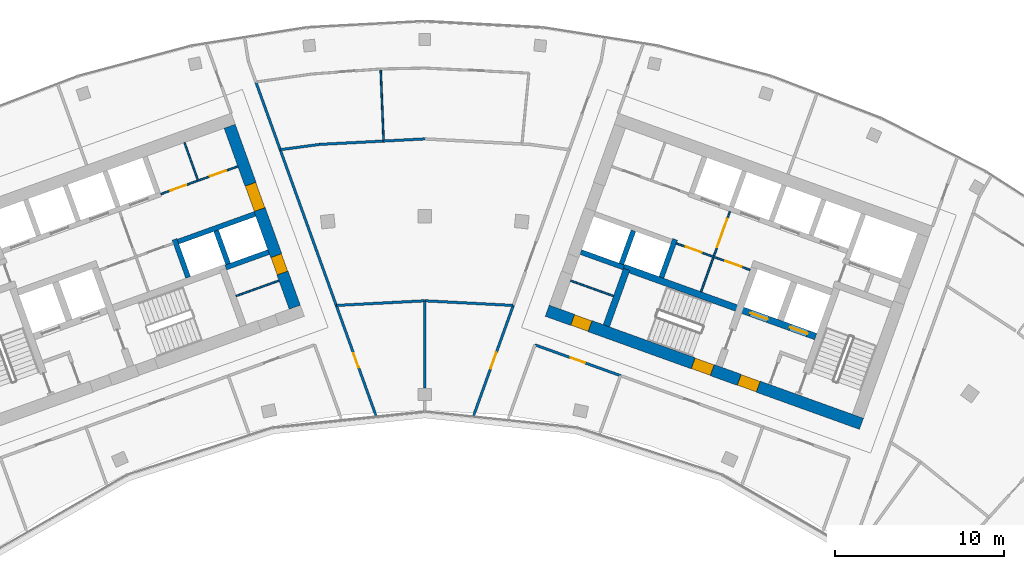
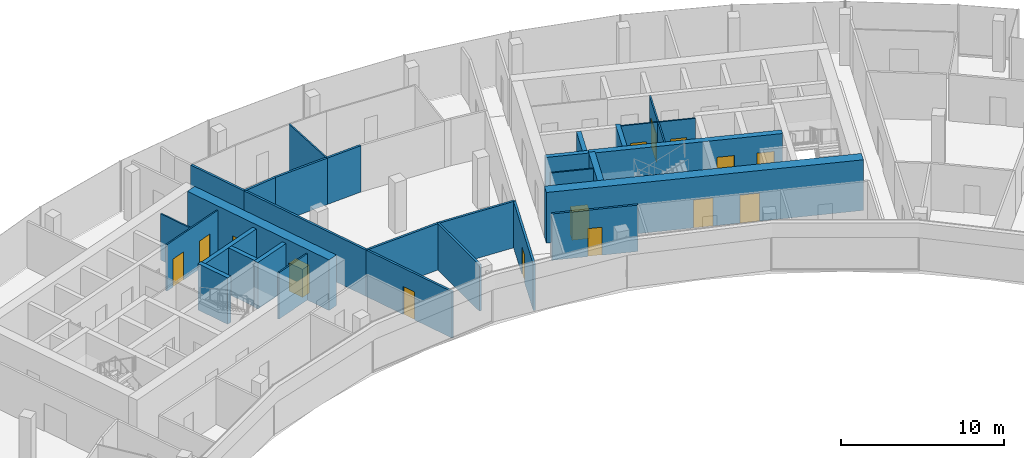
# One storey, part 14 of 18: 29 walls, 15 doors, 15 openings.
"""IFC4 building model written with IfcOpenShell, lengths in metres."""

from ifc_helpers import new_model, si_unit, direction, frame, frame_2d, origin, place, context, subcontext, project, spatial, rectangle, extrude, material, layer, layer_set, type_object, element, fill, save


model = new_model("IFC4")

# Units and contexts
model_context = context("Model", 3, precision=1e-05, world=origin(), true_north=direction((0.0, 1.0)))
body_context = subcontext(model_context, "Body", "Model", "MODEL_VIEW")
ifc_project = project(units=[si_unit("LENGTHUNIT", "METRE"), si_unit("AREAUNIT", "SQUARE_METRE"), si_unit("VOLUMEUNIT", "CUBIC_METRE"), si_unit("PLANEANGLEUNIT", "RADIAN"), si_unit("MASSUNIT", "GRAM", prefix="KILO")], contexts=[model_context])

# Site, building, storey
site_placement = place(None, origin())
site = spatial("IfcSite", under=ifc_project, at=site_placement, CompositionType="ELEMENT")
building_placement = place(site_placement, origin())
building = spatial("IfcBuilding", under=site, at=building_placement, Name="Stone Belt Terrace Tower", CompositionType="ELEMENT")
storey_placement = place(building_placement, frame((0.0, 0.0, 261.800048828125)))
storey = spatial("IfcBuildingStorey", under=building, at=storey_placement, Name="L63", CompositionType="ELEMENT", Elevation=261.800048828125)

# Wall, openings, doors
ifc_material_1 = material(Name="Plasterboard partition")
ifc_layer_1 = layer(ifc_material_1, 0.10009765625)
ifc_layer_set_1 = layer_set([ifc_layer_1], Name="Core partition 100")
wall_type_1 = type_object("IfcWallType", Name="Core partition 100", PredefinedType="PARTITIONING", material=ifc_layer_set_1)
wall_1_placement = place(storey_placement, frame((-15.648681640625, 56.32861328125, 0.0), z_axis=(0.0, 0.0, 1.0), x_axis=(0.940905377977, 0.338669558262, 0.0)))
wall_1 = element("IfcWall", 1, at=wall_1_placement, inside=storey, type_object=wall_type_1, Name="Core A wall", PredefinedType="PARTITIONING", context=body_context, shape_type="SweptSolid", body=[
    extrude(rectangle(XDim=4.85009765625, YDim=0.10009765625, at=frame_2d((2.425048828125, 0.0))), origin(), (0.0, 0.0, 1.0), 3.47998046875),
])
opening_1_placement = place(wall_1_placement, frame((0.60009765625, 0.0, 0.0)))
opening_1 = element("IfcOpeningElement", 2, at=opening_1_placement, cuts=wall_1, Name="Opening L63-C01", PredefinedType="OPENING", context=body_context, shape_type="SweptSolid", body=[
    extrude(rectangle(XDim=1.0, YDim=2.10009765625, at=frame_2d((0.5, 1.050048828125))), frame((0.0, 0.06005859375, 0.0), z_axis=(0.0, -1.0, 0.0), x_axis=(1.0, 0.0, 0.0)), (0.0, 0.0, 1.0), 0.1201171875),
])
opening_2_placement = place(wall_1_placement, frame((3.10009765625, 0.0, 0.0)))
opening_2 = element("IfcOpeningElement", 3, at=opening_2_placement, cuts=wall_1, Name="Opening L63-C02", PredefinedType="OPENING", context=body_context, shape_type="SweptSolid", body=[
    extrude(rectangle(XDim=1.0, YDim=2.10009765625, at=frame_2d((0.5, 1.050048828125))), frame((0.0, 0.06005859375, 0.0), z_axis=(0.0, -1.0, 0.0), x_axis=(1.0, 0.0, 0.0)), (0.0, 0.0, 1.0), 0.1201171875),
])
ifc_material_2 = material(Name="Timber door leaf", Category="wood")
door_type_1 = type_object("IfcDoorType", Name="Core room door 1000", OperationType="SINGLE_SWING_LEFT", PredefinedType="DOOR", material=ifc_material_2)
door_1_placement = place(opening_1_placement, origin())
door_1 = element("IfcDoor", 4, at=door_1_placement, inside=storey, type_object=door_type_1, Name="Door to Print and copy room core A", OperationType="SINGLE_SWING_RIGHT", OverallHeight=2.10009765625, OverallWidth=1.0, PredefinedType="DOOR", context=body_context, shape_type="SweptSolid", body=[
    extrude(rectangle(XDim=1.0, YDim=2.10009765625, at=frame_2d((0.5, 1.050048828125))), frame((0.0, 0.02490234375, 0.0), z_axis=(0.0, -1.0, 0.0), x_axis=(1.0, 0.0, 0.0)), (0.0, 0.0, 1.0), 0.050048828125),
])
fill(opening_1, door_1)
door_2_placement = place(opening_2_placement, origin())
door_2 = element("IfcDoor", 5, at=door_2_placement, inside=storey, type_object=door_type_1, Name="Door to Pantry core A", OperationType="SINGLE_SWING_LEFT", OverallHeight=2.10009765625, OverallWidth=1.0, PredefinedType="DOOR", context=body_context, shape_type="SweptSolid", body=[
    extrude(rectangle(XDim=1.0, YDim=2.10009765625, at=frame_2d((0.5, 1.050048828125))), frame((0.0, 0.02490234375, 0.0), z_axis=(0.0, -1.0, 0.0), x_axis=(1.0, 0.0, 0.0)), (0.0, 0.0, 1.0), 0.050048828125),
])
fill(opening_2, door_2)

# Walls
wall_2_placement = place(storey_placement, frame((-11.187744140625, 50.2822265625, 0.0), z_axis=(0.0, 0.0, 1.0), x_axis=(0.940949642365, 0.338546555931, 0.0)))
element("IfcWall", 6, at=wall_2_placement, inside=storey, type_object=wall_type_1, Name="Core A wall", PredefinedType="PARTITIONING", context=body_context, shape_type="SweptSolid", body=[
    extrude(rectangle(XDim=2.699951171875, YDim=0.10009765625, at=frame_2d((1.35009765625, 0.0))), origin(), (0.0, 0.0, 1.0), 3.47998046875),
])
wall_3_placement = place(storey_placement, frame((-13.45458984375, 57.171630859375, 0.0), z_axis=(0.0, 0.0, 1.0), x_axis=(-0.338579668317, 0.940937728121, 0.0)))
element("IfcWall", 7, at=wall_3_placement, inside=storey, type_object=wall_type_1, Name="Core A wall", PredefinedType="PARTITIONING", context=body_context, shape_type="SweptSolid", body=[
    extrude(rectangle(XDim=2.35009765625, YDim=0.10009765625, at=frame_2d((1.175048828125, 0.0))), origin(), (0.0, 0.0, 1.0), 3.47998046875),
])

# Wall, openings, doors
wall_4_placement = place(storey_placement, frame((19.29052734375, 51.829833984375, 0.0), z_axis=(0.0, 0.0, 1.0), x_axis=(-0.940930240745, 0.338600475563, 0.0)))
wall_4 = element("IfcWall", 8, at=wall_4_placement, inside=storey, type_object=wall_type_1, Name="Core B wall", PredefinedType="PARTITIONING", context=body_context, shape_type="SweptSolid", body=[
    extrude(rectangle(XDim=4.64990234375, YDim=0.10009765625, at=frame_2d((2.324951171875, 0.0))), origin(), (0.0, 0.0, 1.0), 3.47998046875),
])
opening_3_placement = place(wall_4_placement, frame((0.550048828125, 0.0, 0.0)))
opening_3 = element("IfcOpeningElement", 9, at=opening_3_placement, cuts=wall_4, Name="Opening L63-C18", PredefinedType="OPENING", context=body_context, shape_type="SweptSolid", body=[
    extrude(rectangle(XDim=1.0, YDim=2.10009765625, at=frame_2d((0.5, 1.050048828125))), frame((0.0, 0.06005859375, 0.0), z_axis=(0.0, -1.0, 0.0), x_axis=(1.0, 0.0, 0.0)), (0.0, 0.0, 1.0), 0.1201171875),
])
opening_4_placement = place(wall_4_placement, frame((3.050048828125, 0.0, 0.0)))
opening_4 = element("IfcOpeningElement", 10, at=opening_4_placement, cuts=wall_4, Name="Opening L63-C19", PredefinedType="OPENING", context=body_context, shape_type="SweptSolid", body=[
    extrude(rectangle(XDim=1.0, YDim=2.10009765625, at=frame_2d((0.5, 1.050048828125))), frame((0.0, 0.06005859375, 0.0), z_axis=(0.0, -1.0, 0.0), x_axis=(1.0, 0.0, 0.0)), (0.0, 0.0, 1.0), 0.1201171875),
])
door_3_placement = place(opening_3_placement, origin())
door_3 = element("IfcDoor", 11, at=door_3_placement, inside=storey, type_object=door_type_1, Name="Door to Housekeeping store core B", OperationType="SINGLE_SWING_LEFT", OverallHeight=2.10009765625, OverallWidth=1.0, PredefinedType="DOOR", context=body_context, shape_type="SweptSolid", body=[
    extrude(rectangle(XDim=1.0, YDim=2.10009765625, at=frame_2d((0.5, 1.050048828125))), frame((0.0, 0.02490234375, 0.0), z_axis=(0.0, -1.0, 0.0), x_axis=(1.0, 0.0, 0.0)), (0.0, 0.0, 1.0), 0.050048828125),
])
fill(opening_3, door_3)
door_4_placement = place(opening_4_placement, origin())
door_4 = element("IfcDoor", 12, at=door_4_placement, inside=storey, type_object=door_type_1, Name="Door to Tenant storage room core B", OperationType="SINGLE_SWING_RIGHT", OverallHeight=2.10009765625, OverallWidth=1.0, PredefinedType="DOOR", context=body_context, shape_type="SweptSolid", body=[
    extrude(rectangle(XDim=1.0, YDim=2.10009765625, at=frame_2d((0.5, 1.050048828125))), frame((0.0, 0.02490234375, 0.0), z_axis=(0.0, -1.0, 0.0), x_axis=(1.0, 0.0, 0.0)), (0.0, 0.0, 1.0), 0.050048828125),
])
fill(opening_4, door_4)

# Wall, opening, door
wall_5_placement = place(storey_placement, frame((16.38134765625, 50.53857421875, 0.0), z_axis=(0.0, 0.0, 1.0), x_axis=(0.33860476744, 0.940928696271, 0.0)))
wall_5 = element("IfcWall", 13, at=wall_5_placement, inside=storey, type_object=wall_type_1, Name="Core B wall", PredefinedType="PARTITIONING", context=body_context, shape_type="SweptSolid", body=[
    extrude(rectangle(XDim=5.050048828125, YDim=0.10009765625, at=frame_2d((2.52490234375, 0.0))), origin(), (0.0, 0.0, 1.0), 3.47998046875),
])
opening_5_placement = place(wall_5_placement, frame((2.800048828125, 0.0, 0.0)))
opening_5 = element("IfcOpeningElement", 14, at=opening_5_placement, cuts=wall_5, Name="Opening L63-C22", PredefinedType="OPENING", context=body_context, shape_type="SweptSolid", body=[
    extrude(rectangle(XDim=1.800048828125, YDim=2.10009765625, at=frame_2d((0.89990234375, 1.050048828125))), frame((0.0, 0.06005859375, 0.0), z_axis=(0.0, -1.0, 0.0), x_axis=(1.0, 0.0, 0.0)), (0.0, 0.0, 1.0), 0.1201171875),
])
ifc_material_3 = material(Name="Glazed aluminium door leaf", Category="aluminium")
door_type_2 = type_object("IfcDoorType", Name="Lift lobby entrance door 1800", OperationType="DOUBLE_DOOR_SINGLE_SWING", PredefinedType="DOOR", material=ifc_material_3)
door_5_placement = place(opening_5_placement, origin())
door_5 = element("IfcDoor", 15, at=door_5_placement, inside=storey, type_object=door_type_2, Name="Lift lobby double door core B", OperationType="DOUBLE_DOOR_SINGLE_SWING", OverallHeight=2.10009765625, OverallWidth=1.800048828125, PredefinedType="DOOR", context=body_context, shape_type="SweptSolid", body=[
    extrude(rectangle(XDim=1.800048828125, YDim=2.10009765625, at=frame_2d((0.89990234375, 1.050048828125))), frame((0.0, 0.02490234375, 0.0), z_axis=(0.0, -1.0, 0.0), x_axis=(1.0, 0.0, 0.0)), (0.0, 0.0, 1.0), 0.050048828125),
])
fill(opening_5, door_5)

# Wall
wall_6_placement = place(storey_placement, frame((11.187744140625, 50.2822265625, 0.0), z_axis=(0.0, 0.0, 1.0), x_axis=(-0.940949642365, 0.338546555931, 0.0)))
element("IfcWall", 16, at=wall_6_placement, inside=storey, type_object=wall_type_1, Name="Core B wall", PredefinedType="PARTITIONING", context=body_context, shape_type="SweptSolid", body=[
    extrude(rectangle(XDim=2.699951171875, YDim=0.10009765625, at=frame_2d((1.35009765625, 0.0))), origin(), (0.0, 0.0, 1.0), 3.47998046875),
])

# Wall, openings, doors
ifc_material_4 = material(Name="Concrete B60", Category="concrete")
ifc_layer_2 = layer(ifc_material_4, 0.699951171875)
ifc_layer_set_2 = layer_set([ifc_layer_2], Name="Core wall 700 B60")
wall_type_2 = type_object("IfcWallType", Name="Core wall 700 B60", PredefinedType="SHEAR", material=ifc_layer_set_2)
wall_7_placement = place(storey_placement, frame((-7.70849609375, 49.621337890625, 0.0), z_axis=(0.0, 0.0, 1.0), x_axis=(-0.338606471282, 0.940928083121, 0.0)))
wall_7 = element("IfcWall", 17, at=wall_7_placement, inside=storey, type_object=wall_type_2, Name="Core A wall end_b L63", PredefinedType="SHEAR", context=body_context, shape_type="SweptSolid", body=[
    extrude(rectangle(XDim=11.39990234375, YDim=0.699951171875, at=frame_2d((5.699951171875, 0.0))), origin(), (0.0, 0.0, 1.0), 3.800048828125),
])
opening_6_placement = place(wall_7_placement, frame((6.14990234375, 0.0, 0.0)))
opening_6 = element("IfcOpeningElement", 18, at=opening_6_placement, cuts=wall_7, Name="Opening L63-C08", PredefinedType="OPENING", context=body_context, shape_type="SweptSolid", body=[
    extrude(rectangle(XDim=1.60009765625, YDim=2.10009765625, at=frame_2d((0.800048828125, 1.050048828125))), frame((0.0, 0.35986328125, 0.0), z_axis=(0.0, -1.0, 0.0), x_axis=(1.0, 0.0, 0.0)), (0.0, 0.0, 1.0), 0.719970703125),
])
opening_7_placement = place(wall_7_placement, frame((2.14990234375, 0.0, 0.0)))
opening_7 = element("IfcOpeningElement", 19, at=opening_7_placement, cuts=wall_7, Name="Opening L63-C14", PredefinedType="OPENING", context=body_context, shape_type="SweptSolid", body=[
    extrude(rectangle(XDim=1.10009765625, YDim=2.10009765625, at=frame_2d((0.550048828125, 1.050048828125))), frame((0.0, 0.35986328125, 0.0), z_axis=(0.0, -1.0, 0.0), x_axis=(1.0, 0.0, 0.0)), (0.0, 0.0, 1.0), 0.719970703125),
])
door_type_3 = type_object("IfcDoorType", Name="Core room door 1100", OperationType="SINGLE_SWING_LEFT", PredefinedType="DOOR", material=ifc_material_2)
door_6_placement = place(opening_7_placement, origin())
door_6 = element("IfcDoor", 20, at=door_6_placement, inside=storey, type_object=door_type_3, Name="Door to Accessible WC core A", OperationType="SINGLE_SWING_LEFT", OverallHeight=2.10009765625, OverallWidth=1.10009765625, PredefinedType="DOOR", context=body_context, shape_type="SweptSolid", body=[
    extrude(rectangle(XDim=1.10009765625, YDim=2.10009765625, at=frame_2d((0.550048828125, 1.050048828125))), frame((0.0, 0.330078125, 0.0), z_axis=(0.0, -1.0, 0.0), x_axis=(1.0, 0.0, 0.0)), (0.0, 0.0, 1.0), 0.659912109375),
])
fill(opening_7, door_6)
door_type_4 = type_object("IfcDoorType", Name="Lift lobby entrance door 1600", OperationType="DOUBLE_DOOR_SINGLE_SWING", PredefinedType="DOOR", material=ifc_material_3)
door_7_placement = place(opening_6_placement, origin())
door_7 = element("IfcDoor", 21, at=door_7_placement, inside=storey, type_object=door_type_4, Name="Lift lobby entrance door core A", OperationType="DOUBLE_DOOR_SINGLE_SWING", OverallHeight=2.10009765625, OverallWidth=1.60009765625, PredefinedType="DOOR", context=body_context, shape_type="SweptSolid", body=[
    extrude(rectangle(XDim=1.60009765625, YDim=2.10009765625, at=frame_2d((0.800048828125, 1.050048828125))), frame((0.0, 0.330078125, 0.0), z_axis=(0.0, -1.0, 0.0), x_axis=(1.0, 0.0, 0.0)), (0.0, 0.0, 1.0), 0.659912109375),
])
fill(opening_6, door_7)

wall_8_placement = place(storey_placement, frame((7.260498046875, 49.410400390625, 0.0), z_axis=(0.0, 0.0, 1.0), x_axis=(0.940925130461, -0.338614676094, 0.0)))
wall_8 = element("IfcWall", 22, at=wall_8_placement, inside=storey, type_object=wall_type_2, Name="Core B wall concave L63", PredefinedType="SHEAR", context=body_context, shape_type="SweptSolid", body=[
    extrude(rectangle(XDim=19.800048828125, YDim=0.699951171875, at=frame_2d((9.89990234375, 0.0))), origin(), (0.0, 0.0, 1.0), 3.800048828125),
])
opening_8_placement = place(wall_8_placement, frame((12.10009765625, 0.0, 0.0)))
opening_8 = element("IfcOpeningElement", 23, at=opening_8_placement, cuts=wall_8, Name="Opening L63-C26", PredefinedType="OPENING", context=body_context, shape_type="SweptSolid", body=[
    extrude(rectangle(XDim=1.199951171875, YDim=2.10009765625, at=frame_2d((0.60009765625, 1.050048828125))), frame((0.0, 0.35986328125, 0.0), z_axis=(0.0, -1.0, 0.0), x_axis=(1.0, 0.0, 0.0)), (0.0, 0.0, 1.0), 0.719970703125),
])
opening_9_placement = place(wall_8_placement, frame((9.2001953125, 0.0, 0.0)))
opening_9 = element("IfcOpeningElement", 24, at=opening_9_placement, cuts=wall_8, Name="Opening L63-C28", PredefinedType="OPENING", context=body_context, shape_type="SweptSolid", body=[
    extrude(rectangle(XDim=1.199951171875, YDim=2.10009765625, at=frame_2d((0.60009765625, 1.050048828125))), frame((0.0, 0.35986328125, 0.0), z_axis=(0.0, -1.0, 0.0), x_axis=(1.0, 0.0, 0.0)), (0.0, 0.0, 1.0), 0.719970703125),
])
opening_10_placement = place(wall_8_placement, frame((1.60009765625, 0.0, 0.0)))
opening_10 = element("IfcOpeningElement", 25, at=opening_10_placement, cuts=wall_8, Name="Opening L63-C30", PredefinedType="OPENING", context=body_context, shape_type="SweptSolid", body=[
    extrude(rectangle(XDim=1.10009765625, YDim=2.10009765625, at=frame_2d((0.550048828125, 1.050048828125))), frame((0.0, 0.35986328125, 0.0), z_axis=(0.0, -1.0, 0.0), x_axis=(1.0, 0.0, 0.0)), (0.0, 0.0, 1.0), 0.719970703125),
])
door_8_placement = place(opening_10_placement, origin())
door_8 = element("IfcDoor", 26, at=door_8_placement, inside=storey, type_object=door_type_3, Name="Door to Cleaner's store core B", OperationType="SINGLE_SWING_LEFT", OverallHeight=2.10009765625, OverallWidth=1.10009765625, PredefinedType="DOOR", context=body_context, shape_type="SweptSolid", body=[
    extrude(rectangle(XDim=1.10009765625, YDim=2.10009765625, at=frame_2d((0.550048828125, 1.050048828125))), frame((0.0, 0.330078125, 0.0), z_axis=(0.0, -1.0, 0.0), x_axis=(1.0, 0.0, 0.0)), (0.0, 0.0, 1.0), 0.659912109375),
])
fill(opening_10, door_8)
ifc_material_5 = material(Name="Steel door leaf", Category="steel")
door_type_5 = type_object("IfcDoorType", Name="Fire-fighting lobby door 1200", OperationType="SINGLE_SWING_LEFT", PredefinedType="DOOR", material=ifc_material_5)
door_9_placement = place(opening_8_placement, origin())
door_9 = element("IfcDoor", 27, at=door_9_placement, inside=storey, type_object=door_type_5, Name="Fire-fighting lobby door core B", OperationType="SINGLE_SWING_LEFT", OverallHeight=2.10009765625, OverallWidth=1.199951171875, PredefinedType="DOOR", context=body_context, shape_type="SweptSolid", body=[
    extrude(rectangle(XDim=1.199951171875, YDim=2.10009765625, at=frame_2d((0.60009765625, 1.050048828125))), frame((0.0, 0.330078125, 0.0), z_axis=(0.0, -1.0, 0.0), x_axis=(1.0, 0.0, 0.0)), (0.0, 0.0, 1.0), 0.659912109375),
])
fill(opening_8, door_9)
door_type_6 = type_object("IfcDoorType", Name="Stair door 1200", OperationType="SINGLE_SWING_LEFT", PredefinedType="DOOR", material=ifc_material_5)
door_10_placement = place(opening_9_placement, origin())
door_10 = element("IfcDoor", 28, at=door_10_placement, inside=storey, type_object=door_type_6, Name="Stair 2 exit door core B", OperationType="SINGLE_SWING_RIGHT", OverallHeight=2.10009765625, OverallWidth=1.199951171875, PredefinedType="DOOR", context=body_context, shape_type="SweptSolid", body=[
    extrude(rectangle(XDim=1.199951171875, YDim=2.10009765625, at=frame_2d((0.60009765625, 1.050048828125))), frame((0.0, 0.330078125, 0.0), z_axis=(0.0, -1.0, 0.0), x_axis=(1.0, 0.0, 0.0)), (0.0, 0.0, 1.0), 0.659912109375),
])
fill(opening_9, door_10)

# Walls
ifc_material_6 = material(Name="Concrete B80", Category="concrete")
ifc_layer_3 = layer(ifc_material_6, 0.300048828125)
ifc_layer_set_3 = layer_set([ifc_layer_3], Name="Lift shaft wall 300")
wall_type_3 = type_object("IfcWallType", Name="Lift shaft wall 300", PredefinedType="SHEAR", material=ifc_layer_set_3)
wall_9_placement = place(storey_placement, frame((-14.029052734375, 51.38525390625, 0.0), z_axis=(0.0, 0.0, 1.0), x_axis=(-0.338661829791, 0.940908159728, 0.0)))
element("IfcWall", 29, at=wall_9_placement, inside=storey, type_object=wall_type_3, Name="Core A wall", PredefinedType="SHEAR", context=body_context, shape_type="SweptSolid", body=[
    extrude(rectangle(XDim=2.39990234375, YDim=0.300048828125, at=frame_2d((1.199951171875, 0.0))), origin(), (0.0, 0.0, 1.0), 3.47998046875),
])
wall_10_placement = place(storey_placement, frame((-14.6328125, 53.506103515625, 0.0), z_axis=(0.0, 0.0, 1.0), x_axis=(0.940931684323, 0.338596464007, 0.0)))
element("IfcWall", 30, at=wall_10_placement, inside=storey, type_object=wall_type_3, Name="Core A wall", PredefinedType="SHEAR", context=body_context, shape_type="SweptSolid", body=[
    extrude(rectangle(XDim=4.849609375, YDim=0.300048828125, at=frame_2d((2.4248046875, 0.0))), origin(), (0.0, 0.0, 1.0), 3.47998046875),
])
wall_11_placement = place(storey_placement, frame((-11.797119140625, 51.975830078125, 0.0), z_axis=(0.0, 0.0, 1.0), x_axis=(0.940910465161, 0.33865542451, 0.0)))
element("IfcWall", 31, at=wall_11_placement, inside=storey, type_object=wall_type_3, Name="Core A wall", PredefinedType="SHEAR", context=body_context, shape_type="SweptSolid", body=[
    extrude(rectangle(XDim=2.69970703125, YDim=0.300048828125, at=frame_2d((1.349853515625, 0.0))), origin(), (0.0, 0.0, 1.0), 3.47998046875),
])
wall_12_placement = place(storey_placement, frame((-11.659912109375, 52.184814453125, 0.0), z_axis=(0.0, 0.0, 1.0), x_axis=(-0.338670064856, 0.940905195634, 0.0)))
element("IfcWall", 32, at=wall_12_placement, inside=storey, type_object=wall_type_3, Name="Core A wall", PredefinedType="SHEAR", context=body_context, shape_type="SweptSolid", body=[
    extrude(rectangle(XDim=2.099853515625, YDim=0.300048828125, at=frame_2d((1.0498046875, 0.0))), origin(), (0.0, 0.0, 1.0), 3.47998046875),
])
wall_13_placement = place(storey_placement, frame((14.029052734375, 51.38525390625, 0.0), z_axis=(0.0, 0.0, 1.0), x_axis=(0.338661829791, 0.940908159728, 0.0)))
element("IfcWall", 33, at=wall_13_placement, inside=storey, type_object=wall_type_3, Name="Core B wall", PredefinedType="SHEAR", context=body_context, shape_type="SweptSolid", body=[
    extrude(rectangle(XDim=2.39990234375, YDim=0.300048828125, at=frame_2d((1.199951171875, 0.0))), origin(), (0.0, 0.0, 1.0), 3.47998046875),
])
wall_14_placement = place(storey_placement, frame((11.797119140625, 51.975830078125, 0.0), z_axis=(0.0, 0.0, 1.0), x_axis=(-0.940910465161, 0.33865542451, 0.0)))
element("IfcWall", 34, at=wall_14_placement, inside=storey, type_object=wall_type_3, Name="Core B wall", PredefinedType="SHEAR", context=body_context, shape_type="SweptSolid", body=[
    extrude(rectangle(XDim=2.69970703125, YDim=0.300048828125, at=frame_2d((1.349853515625, 0.0))), origin(), (0.0, 0.0, 1.0), 3.47998046875),
])
wall_15_placement = place(storey_placement, frame((11.659912109375, 52.184814453125, 0.0), z_axis=(0.0, 0.0, 1.0), x_axis=(0.338670064856, 0.940905195634, 0.0)))
element("IfcWall", 35, at=wall_15_placement, inside=storey, type_object=wall_type_3, Name="Core B wall", PredefinedType="SHEAR", context=body_context, shape_type="SweptSolid", body=[
    extrude(rectangle(XDim=2.099853515625, YDim=0.300048828125, at=frame_2d((1.0498046875, 0.0))), origin(), (0.0, 0.0, 1.0), 3.47998046875),
])
ifc_material_7 = material(Name="Gypsum board partition")
ifc_layer_4 = layer(ifc_material_7, 0.10009765625)
ifc_layer_set_4 = layer_set([ifc_layer_4], Name="PARTITION 100")
wall_type_4 = type_object("IfcWallType", Name="PARTITION 100", PredefinedType="PARTITIONING", material=ifc_layer_set_4)
wall_16_placement = place(storey_placement, frame((-2.615966796875, 63.74609375, 0.0), z_axis=(0.0, 0.0, 1.0), x_axis=(0.040920742427, -0.999162395629, 0.0)))
element("IfcWall", 36, at=wall_16_placement, inside=storey, type_object=wall_type_4, Name="L63/wall/i086", PredefinedType="PARTITIONING", context=body_context, shape_type="SweptSolid", body=[
    extrude(rectangle(XDim=4.27783203125, YDim=0.10009765625, at=frame_2d((2.138916015625, 0.0))), origin(), (0.0, 0.0, 1.0), 3.47998046875),
])

# Wall, opening, door
ifc_layer_5 = layer(ifc_material_7, 0.14990234375)
ifc_layer_set_5 = layer_set([ifc_layer_5], Name="PARTITION 150 EI 60")
wall_type_5 = type_object("IfcWallType", Name="PARTITION 150 EI 60", PredefinedType="PARTITIONING", material=ifc_layer_set_5)
wall_17_placement = place(storey_placement, frame((-5.2490234375, 49.72900390625, 0.0), z_axis=(0.0, 0.0, 1.0), x_axis=(0.338658460958, -0.940909372268, 0.0)))
wall_17 = element("IfcWall", 37, at=wall_17_placement, inside=storey, type_object=wall_type_5, Name="L63/wall/i011", PredefinedType="PARTITIONING", context=body_context, shape_type="SweptSolid", body=[
    extrude(rectangle(XDim=6.94384765625, YDim=0.14990234375, at=frame_2d((3.471923828125, 0.0))), origin(), (0.0, 0.0, 1.0), 3.47998046875),
])
opening_11_placement = place(wall_17_placement, frame((3.02197265625, 0.0, 0.0)))
opening_11 = element("IfcOpeningElement", 38, at=opening_11_placement, cuts=wall_17, Name="Opening D-E1-25", PredefinedType="OPENING", context=body_context, shape_type="SweptSolid", body=[
    extrude(rectangle(XDim=0.89990234375, YDim=2.10009765625, at=frame_2d((0.449951171875, 1.050048828125))), frame((0.0, 0.0849609375, 0.0), z_axis=(0.0, -1.0, 0.0), x_axis=(1.0, 0.0, 0.0)), (0.0, 0.0, 1.0), 0.169921875),
])
door_type_7 = type_object("IfcDoorType", Name="OFFICE DOOR 900 X 2100", OperationType="NOTDEFINED", PredefinedType="DOOR", material=ifc_material_2)
door_11_placement = place(opening_11_placement, origin())
door_11 = element("IfcDoor", 39, at=door_11_placement, inside=storey, type_object=door_type_7, Name="L63/door/i25", OperationType="SINGLE_SWING_RIGHT", OverallHeight=2.10009765625, OverallWidth=0.89990234375, PredefinedType="DOOR", context=body_context, shape_type="SweptSolid", body=[
    extrude(rectangle(XDim=0.89990234375, YDim=2.10009765625, at=frame_2d((0.449951171875, 1.050048828125))), frame((0.0, 0.02490234375, 0.0), z_axis=(0.0, -1.0, 0.0), x_axis=(1.0, 0.0, 0.0)), (0.0, 0.0, 1.0), 0.050048828125),
])
fill(opening_11, door_11)

# Walls
wall_18_placement = place(storey_placement, frame((-10.01708984375, 62.97900390625, 0.0), z_axis=(0.0, 0.0, 1.0), x_axis=(0.338519370283, -0.940959423112, 0.0)))
element("IfcWall", 40, at=wall_18_placement, inside=storey, type_object=wall_type_5, Name="L63/wall/i014", PredefinedType="PARTITIONING", context=body_context, shape_type="SweptSolid", body=[
    extrude(rectangle(XDim=4.27734375, YDim=0.14990234375, at=frame_2d((2.138671875, 0.0))), origin(), (0.0, 0.0, 1.0), 3.47998046875),
])
wall_19_placement = place(storey_placement, frame((-8.572998046875, 58.966064453125, 0.0), z_axis=(0.0, 0.0, 1.0), x_axis=(0.338560271088, -0.940944707643, 0.0)))
element("IfcWall", 41, at=wall_19_placement, inside=storey, type_object=wall_type_5, Name="L63/wall/i015", PredefinedType="PARTITIONING", context=body_context, shape_type="SweptSolid", body=[
    extrude(rectangle(XDim=9.82958984375, YDim=0.14990234375, at=frame_2d((4.914794921875, 0.0))), origin(), (0.0, 0.0, 1.0), 3.47998046875),
])

# Wall, opening, door
wall_20_placement = place(storey_placement, frame((2.8974609375, 43.195556640625, 0.0), z_axis=(0.0, 0.0, 1.0), x_axis=(0.338658460958, 0.940909372268, 0.0)))
wall_20 = element("IfcWall", 42, at=wall_20_placement, inside=storey, type_object=wall_type_5, Name="L63/wall/i024", PredefinedType="PARTITIONING", context=body_context, shape_type="SweptSolid", body=[
    extrude(rectangle(XDim=6.94384765625, YDim=0.14990234375, at=frame_2d((3.471923828125, 0.0))), origin(), (0.0, 0.0, 1.0), 3.47998046875),
])
opening_12_placement = place(wall_20_placement, frame((2.971923828125, 0.0, 0.0)))
opening_12 = element("IfcOpeningElement", 43, at=opening_12_placement, cuts=wall_20, Name="Opening D-E1-26", PredefinedType="OPENING", context=body_context, shape_type="SweptSolid", body=[
    extrude(rectangle(XDim=1.0, YDim=2.10009765625, at=frame_2d((0.5, 1.050048828125))), frame((0.0, 0.0849609375, 0.0), z_axis=(0.0, -1.0, 0.0), x_axis=(1.0, 0.0, 0.0)), (0.0, 0.0, 1.0), 0.169921875),
])
ifc_material_8 = material(Name="Timber fire door leaf", Category="wood")
door_type_8 = type_object("IfcDoorType", Name="TENANCY ENTRANCE DOOR 1000 X 2100", OperationType="NOTDEFINED", PredefinedType="DOOR", material=ifc_material_8)
door_12_placement = place(opening_12_placement, origin())
door_12 = element("IfcDoor", 44, at=door_12_placement, inside=storey, type_object=door_type_8, Name="L63/door/i26", OperationType="SINGLE_SWING_RIGHT", OverallHeight=2.10009765625, OverallWidth=1.0, PredefinedType="DOOR", context=body_context, shape_type="SweptSolid", body=[
    extrude(rectangle(XDim=1.0, YDim=2.10009765625, at=frame_2d((0.5, 1.050048828125))), frame((0.0, 0.02490234375, 0.0), z_axis=(0.0, -1.0, 0.0), x_axis=(1.0, 0.0, 0.0)), (0.0, 0.0, 1.0), 0.050048828125),
])
fill(opening_12, door_12)

wall_21_placement = place(storey_placement, frame((11.612060546875, 45.56005859375, 0.0), z_axis=(0.0, 0.0, 1.0), x_axis=(-0.940922576985, 0.338621771481, 0.0)))
wall_21 = element("IfcWall", 45, at=wall_21_placement, inside=storey, type_object=wall_type_5, Name="L63/wall/i036", PredefinedType="PARTITIONING", context=body_context, shape_type="SweptSolid", body=[
    extrude(rectangle(XDim=5.39794921875, YDim=0.14990234375, at=frame_2d((2.698974609375, 0.0))), origin(), (0.0, 0.0, 1.0), 3.47998046875),
])
opening_13_placement = place(wall_21_placement, frame((2.2490234375, 0.0, 0.0)))
opening_13 = element("IfcOpeningElement", 46, at=opening_13_placement, cuts=wall_21, Name="Opening D-E1-06", PredefinedType="OPENING", context=body_context, shape_type="SweptSolid", body=[
    extrude(rectangle(XDim=0.89990234375, YDim=2.10009765625, at=frame_2d((0.449951171875, 1.050048828125))), frame((0.0, 0.0849609375, 0.0), z_axis=(0.0, -1.0, 0.0), x_axis=(1.0, 0.0, 0.0)), (0.0, 0.0, 1.0), 0.169921875),
])
door_13_placement = place(opening_13_placement, origin())
door_13 = element("IfcDoor", 47, at=door_13_placement, inside=storey, type_object=door_type_7, Name="L63/door/i06", OperationType="SINGLE_SWING_RIGHT", OverallHeight=2.10009765625, OverallWidth=0.89990234375, PredefinedType="DOOR", context=body_context, shape_type="SweptSolid", body=[
    extrude(rectangle(XDim=0.89990234375, YDim=2.10009765625, at=frame_2d((0.449951171875, 1.050048828125))), frame((0.0, 0.02490234375, 0.0), z_axis=(0.0, -1.0, 0.0), x_axis=(1.0, 0.0, 0.0)), (0.0, 0.0, 1.0), 0.050048828125),
])
fill(opening_13, door_13)

# Walls
wall_22_placement = place(storey_placement, frame((0.0, 50.0, 0.0), z_axis=(0.0, 0.0, 1.0), x_axis=(0.0, -1.0, 0.0)))
element("IfcWall", 48, at=wall_22_placement, inside=storey, type_object=wall_type_5, Name="L63/wall/i075", PredefinedType="PARTITIONING", context=body_context, shape_type="SweptSolid", body=[
    extrude(rectangle(XDim=5.175048828125, YDim=0.14990234375, at=frame_2d((2.58740234375, 0.0))), origin(), (0.0, 0.0, 1.0), 3.47998046875),
])
for number, where, z_axis, x_axis, name in (
    (49, (-5.22607421875, 49.72607421875, 0.0), (0.0, 0.0, 1.0), (0.998629146863, 0.052343357133, 0.0), "L63/wall/i077"),
    (50, (0.0, 50.0, 0.0), (0.0, 0.0, 1.0), (0.998629146863, -0.052343357133, 0.0), "L63/wall/i078"),
):
    element("IfcWall", number, at=place(storey_placement, frame(where, z_axis=z_axis, x_axis=x_axis)), inside=storey, type_object=wall_type_5, Name=name, PredefinedType="PARTITIONING", context=body_context, shape_type="SweptSolid", body=[
        extrude(rectangle(XDim=5.233154296875, YDim=0.14990234375, at=frame_2d((2.61669921875, 0.0))), origin(), (0.0, 0.0, 1.0), 3.47998046875),
    ])
wall_23_placement = place(storey_placement, frame((-2.44091796875, 59.471923828125, 0.0), z_axis=(0.0, 0.0, 1.0), x_axis=(-0.998637489128, -0.052183956423, 0.0)))
element("IfcWall", 51, at=wall_23_placement, inside=storey, type_object=wall_type_5, Name="L63/wall/i087", PredefinedType="PARTITIONING", context=body_context, shape_type="SweptSolid", body=[
    extrude(rectangle(XDim=3.794189453125, YDim=0.14990234375, at=frame_2d((1.89697265625, 0.0))), origin(), (0.0, 0.0, 1.0), 3.47998046875),
])
wall_24_placement = place(storey_placement, frame((-6.22998046875, 59.27392578125, 0.0), z_axis=(0.0, 0.0, 1.0), x_axis=(-0.991133806979, -0.132867515457, 0.0)))
element("IfcWall", 52, at=wall_24_placement, inside=storey, type_object=wall_type_5, Name="L63/wall/i088", PredefinedType="PARTITIONING", context=body_context, shape_type="SweptSolid", body=[
    extrude(rectangle(XDim=2.363037109375, YDim=0.14990234375, at=frame_2d((1.181640625, 0.0))), origin(), (0.0, 0.0, 1.0), 3.47998046875),
])
wall_25_placement = place(storey_placement, frame((0.0, 59.60009765625, 0.0), z_axis=(0.0, 0.0, 1.0), x_axis=(-0.998624168172, -0.05243825648, 0.0)))
element("IfcWall", 53, at=wall_25_placement, inside=storey, type_object=wall_type_5, Name="L63/wall/i090", PredefinedType="PARTITIONING", context=body_context, shape_type="SweptSolid", body=[
    extrude(rectangle(XDim=2.4443359375, YDim=0.14990234375, at=frame_2d((1.22216796875, 0.0))), origin(), (0.0, 0.0, 1.0), 3.47998046875),
])

# Wall, openings, doors
ifc_layer_6 = layer(ifc_material_6, 0.39990234375)
ifc_layer_set_6 = layer_set([ifc_layer_6], Name="Stair enclosure wall 400")
wall_type_6 = type_object("IfcWallType", Name="Stair enclosure wall 400", PredefinedType="SHEAR", material=ifc_layer_set_6)
wall_26_placement = place(storey_placement, frame((23.182373046875, 47.87841796875, 0.0), z_axis=(0.0, 0.0, 1.0), x_axis=(-0.940921101762, 0.338625870628, 0.0)))
wall_26 = element("IfcWall", 54, at=wall_26_placement, inside=storey, type_object=wall_type_6, Name="Core B wall", PredefinedType="SHEAR", context=body_context, shape_type="SweptSolid", body=[
    extrude(rectangle(XDim=12.10009765625, YDim=0.39990234375, at=frame_2d((6.050048828125, 0.0))), origin(), (0.0, 0.0, 1.0), 3.47998046875),
])
opening_14_placement = place(wall_26_placement, frame((0.52001953125, 0.0, 0.0)))
opening_14 = element("IfcOpeningElement", 55, at=opening_14_placement, cuts=wall_26, Name="Opening L63-LD12", PredefinedType="OPENING", context=body_context, shape_type="SweptSolid", body=[
    extrude(rectangle(XDim=1.10009765625, YDim=2.199951171875, at=frame_2d((0.550048828125, 1.10009765625))), frame((0.0, 0.2099609375, 0.0), z_axis=(0.0, -1.0, 0.0), x_axis=(1.0, 0.0, 0.0)), (0.0, 0.0, 1.0), 0.419921875),
])
opening_15_placement = place(wall_26_placement, frame((3.02001953125, 0.0, 0.0)))
opening_15 = element("IfcOpeningElement", 56, at=opening_15_placement, cuts=wall_26, Name="Opening L63-LD13", PredefinedType="OPENING", context=body_context, shape_type="SweptSolid", body=[
    extrude(rectangle(XDim=1.10009765625, YDim=2.199951171875, at=frame_2d((0.550048828125, 1.10009765625))), frame((0.0, 0.2099609375, 0.0), z_axis=(0.0, -1.0, 0.0), x_axis=(1.0, 0.0, 0.0)), (0.0, 0.0, 1.0), 0.419921875),
])
ifc_material_9 = material(Name="Stainless steel door leaf", Category="steel")
door_type_9 = type_object("IfcDoorType", Name="Landing door 1100", OperationType="SLIDING_TO_LEFT", PredefinedType="DOOR", material=ifc_material_9)
door_14_placement = place(opening_14_placement, origin())
door_14 = element("IfcDoor", 57, at=door_14_placement, inside=storey, type_object=door_type_9, Name="Landing door FF1 core B", OperationType="SLIDING_TO_LEFT", OverallHeight=2.199951171875, OverallWidth=1.10009765625, PredefinedType="DOOR", context=body_context, shape_type="SweptSolid", body=[
    extrude(rectangle(XDim=1.10009765625, YDim=2.199951171875, at=frame_2d((0.550048828125, 1.10009765625))), frame((0.0, 0.02490234375, 0.0), z_axis=(0.0, -1.0, 0.0), x_axis=(1.0, 0.0, 0.0)), (0.0, 0.0, 1.0), 0.050048828125),
])
fill(opening_14, door_14)
door_15_placement = place(opening_15_placement, origin())
door_15 = element("IfcDoor", 58, at=door_15_placement, inside=storey, type_object=door_type_9, Name="Landing door FF2 core B", OperationType="SLIDING_TO_LEFT", OverallHeight=2.199951171875, OverallWidth=1.10009765625, PredefinedType="DOOR", context=body_context, shape_type="SweptSolid", body=[
    extrude(rectangle(XDim=1.10009765625, YDim=2.199951171875, at=frame_2d((0.550048828125, 1.10009765625))), frame((0.0, 0.02490234375, 0.0), z_axis=(0.0, -1.0, 0.0), x_axis=(1.0, 0.0, 0.0)), (0.0, 0.0, 1.0), 0.050048828125),
])
fill(opening_15, door_15)

# Wall
wall_27_placement = place(storey_placement, frame((10.766357421875, 48.520751953125, 0.0), z_axis=(0.0, 0.0, 1.0), x_axis=(0.338626928157, 0.94092072117, 0.0)))
element("IfcWall", 59, at=wall_27_placement, inside=storey, type_object=wall_type_6, Name="Core B wall", PredefinedType="SHEAR", context=body_context, shape_type="SweptSolid", body=[
    extrude(rectangle(XDim=3.550048828125, YDim=0.39990234375, at=frame_2d((1.77490234375, 0.0))), origin(), (0.0, 0.0, 1.0), 3.47998046875),
])

save(model, "model.ifc")
